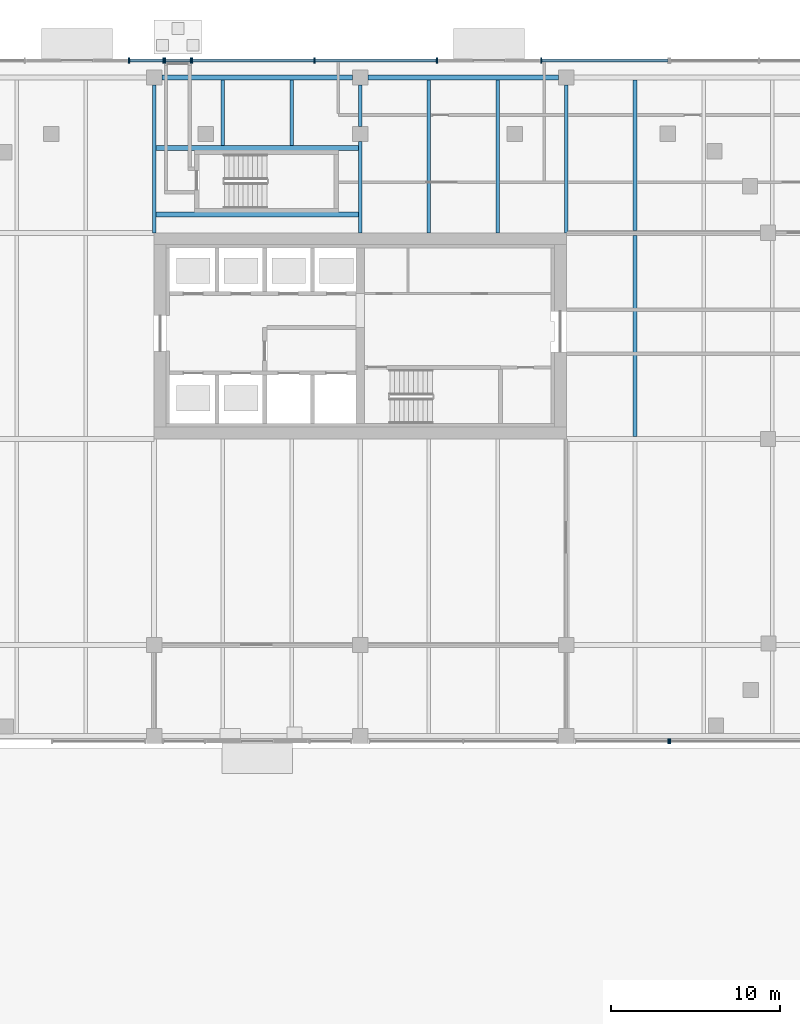
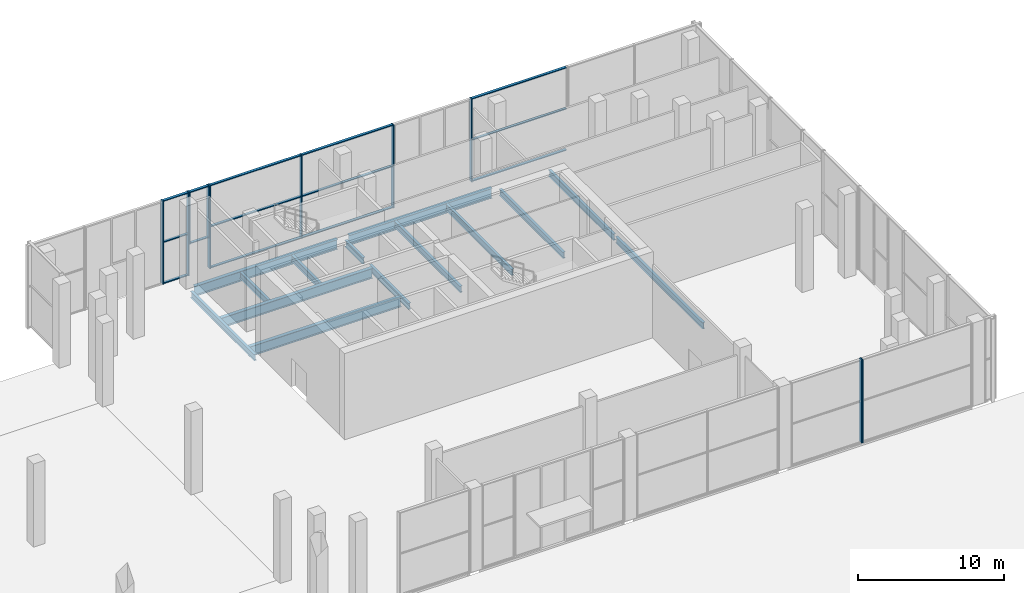
# One storey, part 8 of 36: 24 members, 14 beams, 6 elements without a shape of their own.
"""IFC4 building model written with IfcOpenShell, lengths in metres."""

from ifc_helpers import new_model, si_unit, direction, frame, origin, origin_2d, place, context, subcontext, project, spatial, rectangle, i_section, extrude, material, material_profile, profile_set, type_object, element, aggregate, save


model = new_model("IFC4")

# Units and contexts
model_context = context("Model", 3, precision=1e-05, world=origin(), true_north=direction((0.0, 1.0)))
body_context = subcontext(model_context, "Body", "Model", "MODEL_VIEW")
ifc_project = project(units=[si_unit("LENGTHUNIT", "METRE"), si_unit("AREAUNIT", "SQUARE_METRE"), si_unit("VOLUMEUNIT", "CUBIC_METRE"), si_unit("PLANEANGLEUNIT", "RADIAN"), si_unit("MASSUNIT", "GRAM", prefix="KILO")], contexts=[model_context])

# Site, building, storey
site_placement = place(None, origin())
site = spatial("IfcSite", under=ifc_project, at=site_placement, CompositionType="ELEMENT")
building_placement = place(site_placement, origin())
building = spatial("IfcBuilding", under=site, at=building_placement, Name="Tessera Gate Towers", CompositionType="ELEMENT")
storey_placement = place(building_placement, origin())
storey = spatial("IfcBuildingStorey", under=building, at=storey_placement, Name="L00", CompositionType="ELEMENT", Elevation=0.0)

# Beams
ifc_material_1 = material(Name="Steel 350W", Category="steel")
ifc_material_profile_1 = material_profile(ifc_material_1, i_section(OverallWidth=0.2919921875, OverallDepth=0.8349609375, WebThickness=0.013916015625, FlangeThickness=0.018798828125, at=origin_2d()), Name="W840x176")
ifc_profile_set_1 = profile_set([ifc_material_profile_1], Name="Steel 350W")
beam_type_1 = type_object("IfcBeamType", Name="FLOOR GIRDER W840x176", PredefinedType="BEAM", material=ifc_profile_set_1)
for number, where, z_axis, x_axis, name in (
    (1, (98.050048828125, 58.0, -0.66748046875), (1.0, 0.0, 0.0), (0.0, 1.0, 0.0), "PD-GD-L00-46"),
    (2, (110.25, 58.0, -0.66748046875), (1.0, 0.0, 0.0), (0.0, 1.0, 0.0), "PD-GD-L00-47"),
):
    element("IfcBeam", number, at=place(storey_placement, frame(where, z_axis=z_axis, x_axis=x_axis)), inside=storey, type_object=beam_type_1, Name=name, PredefinedType="BEAM", context=body_context, shape_type="SweptSolid", body=[
        extrude(i_section(OverallWidth=0.2919921875, OverallDepth=0.8349609375, WebThickness=0.013916015625, FlangeThickness=0.018798828125, at=origin_2d()), origin(), (0.0, 0.0, 1.0), 11.300048828125),
    ])
for number, where, z_axis, x_axis, name in (
    (3, (97.70458984375, 49.8798828125, -0.66748046875), (1.0, 0.0, 0.0), (0.0, 1.0, 0.0), "PD-GD-L00-81"),
    (4, (97.70458984375, 53.820068359375, -0.66748046875), (1.0, 0.0, 0.0), (0.0, 1.0, 0.0), "PD-GD-L00-82"),
):
    element("IfcBeam", number, at=place(storey_placement, frame(where, z_axis=z_axis, x_axis=x_axis)), inside=storey, type_object=beam_type_1, Name=name, PredefinedType="BEAM", context=body_context, shape_type="SweptSolid", body=[
        extrude(i_section(OverallWidth=0.2919921875, OverallDepth=0.8349609375, WebThickness=0.013916015625, FlangeThickness=0.018798828125, at=origin_2d()), origin(), (0.0, 0.0, 1.0), 11.990966796875),
    ])
ifc_material_2 = material(Name="Steel 350W", Category="steel")
ifc_material_profile_2 = material_profile(ifc_material_2, i_section(OverallWidth=0.208984375, OverallDepth=0.528076171875, WebThickness=0.009521484375, FlangeThickness=0.01318359375, at=origin_2d()), Name="W530x82")
ifc_profile_set_2 = profile_set([ifc_material_profile_2], Name="Steel 350W")
beam_type_2 = type_object("IfcBeamType", Name="FLOOR SECONDARY W530x82", PredefinedType="BEAM", material=ifc_profile_set_2)
beam_1_placement = place(storey_placement, frame((97.60009765625, 48.800048828125, -0.513916015625), z_axis=(0.0, 1.0, 0.0), x_axis=(-1.0, 0.0, 0.0)))
element("IfcBeam", 5, at=beam_1_placement, inside=storey, type_object=beam_type_2, Name="PD-BM-L00-160", PredefinedType="BEAM", context=body_context, shape_type="SweptSolid", body=[
    extrude(i_section(OverallWidth=0.208984375, OverallDepth=0.528076171875, WebThickness=0.009521484375, FlangeThickness=0.01318359375, at=origin_2d()), origin(), (0.0, 0.0, 1.0), 8.75),
])
for number, where, z_axis, x_axis, name in (
    (6, (101.666748046875, 53.966064453125, -0.513916015625), (0.0, 1.0, 0.0), (-1.0, 0.0, 0.0), "PD-BM-L00-163"),
    (7, (105.7333984375, 53.966064453125, -0.513916015625), (0.0, 1.0, 0.0), (-1.0, 0.0, 0.0), "PD-BM-L00-166"),
):
    element("IfcBeam", number, at=place(storey_placement, frame(where, z_axis=z_axis, x_axis=x_axis)), inside=storey, type_object=beam_type_2, Name=name, PredefinedType="BEAM", context=body_context, shape_type="SweptSolid", body=[
        extrude(i_section(OverallWidth=0.208984375, OverallDepth=0.528076171875, WebThickness=0.009521484375, FlangeThickness=0.01318359375, at=origin_2d()), origin(), (0.0, 0.0, 1.0), 3.887939453125),
    ])
beam_2_placement = place(storey_placement, frame((109.800048828125, 48.800048828125, -0.513916015625), z_axis=(0.0, 1.0, 0.0), x_axis=(-1.0, 0.0, 0.0)))
element("IfcBeam", 8, at=beam_2_placement, inside=storey, type_object=beam_type_2, Name="PD-BM-L00-167", PredefinedType="BEAM", context=body_context, shape_type="SweptSolid", body=[
    extrude(i_section(OverallWidth=0.208984375, OverallDepth=0.528076171875, WebThickness=0.009521484375, FlangeThickness=0.01318359375, at=origin_2d()), origin(), (0.0, 0.0, 1.0), 5.39990234375),
])
beam_3_placement = place(storey_placement, frame((109.800048828125, 55.10009765625, -0.513916015625), z_axis=(0.0, 1.0, 0.0), x_axis=(-1.0, 0.0, 0.0)))
element("IfcBeam", 9, at=beam_3_placement, inside=storey, type_object=beam_type_2, Name="PD-BM-L00-168", PredefinedType="BEAM", context=body_context, shape_type="SweptSolid", body=[
    extrude(i_section(OverallWidth=0.208984375, OverallDepth=0.528076171875, WebThickness=0.009521484375, FlangeThickness=0.01318359375, at=origin_2d()), origin(), (0.0, 0.0, 1.0), 2.449951171875),
])
for number, where, z_axis, x_axis, name in (
    (10, (113.86669921875, 48.800048828125, -0.513916015625), (0.0, 1.0, 0.0), (-1.0, 0.0, 0.0), "PD-BM-L00-171"),
    (11, (117.933349609375, 48.800048828125, -0.513916015625), (0.0, 1.0, 0.0), (-1.0, 0.0, 0.0), "PD-BM-L00-174"),
):
    element("IfcBeam", number, at=place(storey_placement, frame(where, z_axis=z_axis, x_axis=x_axis)), inside=storey, type_object=beam_type_2, Name=name, PredefinedType="BEAM", context=body_context, shape_type="SweptSolid", body=[
        extrude(i_section(OverallWidth=0.208984375, OverallDepth=0.528076171875, WebThickness=0.009521484375, FlangeThickness=0.01318359375, at=origin_2d()), origin(), (0.0, 0.0, 1.0), 9.053955078125),
    ])
beam_4_placement = place(storey_placement, frame((122.0, 48.800048828125, -0.513916015625), z_axis=(0.0, 1.0, 0.0), x_axis=(-1.0, 0.0, 0.0)))
element("IfcBeam", 12, at=beam_4_placement, inside=storey, type_object=beam_type_2, Name="PD-BM-L00-175", PredefinedType="BEAM", context=body_context, shape_type="SweptSolid", body=[
    extrude(i_section(OverallWidth=0.208984375, OverallDepth=0.528076171875, WebThickness=0.009521484375, FlangeThickness=0.01318359375, at=origin_2d()), origin(), (0.0, 0.0, 1.0), 8.75),
])
beam_5_placement = place(storey_placement, frame((126.066650390625, 36.74609375, -0.513916015625), z_axis=(0.0, 1.0, 0.0), x_axis=(-1.0, 0.0, 0.0)))
element("IfcBeam", 13, at=beam_5_placement, inside=storey, type_object=beam_type_2, Name="PD-BM-L00-178", PredefinedType="BEAM", context=body_context, shape_type="SweptSolid", body=[
    extrude(i_section(OverallWidth=0.208984375, OverallDepth=0.528076171875, WebThickness=0.009521484375, FlangeThickness=0.01318359375, at=origin_2d()), origin(), (0.0, 0.0, 1.0), 11.907958984375),
])
beam_6_placement = place(storey_placement, frame((126.066650390625, 48.946044921875, -0.513916015625), z_axis=(0.0, 1.0, 0.0), x_axis=(-1.0, 0.0, 0.0)))
element("IfcBeam", 14, at=beam_6_placement, inside=storey, type_object=beam_type_2, Name="PD-BM-L00-179", PredefinedType="BEAM", context=body_context, shape_type="SweptSolid", body=[
    extrude(i_section(OverallWidth=0.208984375, OverallDepth=0.528076171875, WebThickness=0.009521484375, FlangeThickness=0.01318359375, at=origin_2d()), origin(), (0.0, 0.0, 1.0), 8.907958984375),
])

# Curtain wall, member
ifc_material_3 = material(Name="Aluminium frame", Category="aluminium")
curtain_wall_type = type_object("IfcCurtainWallType", Name="CW-S6 ground floor glazing", PredefinedType="NOTDEFINED", material=ifc_material_3)
curtain_wall_1_placement = place(storey_placement, origin())
curtain_wall_1 = element("IfcCurtainWall", 15, at=curtain_wall_1_placement, inside=storey, type_object=curtain_wall_type, Name="Curtain wall ground floor glazing 0160", PredefinedType="NOTDEFINED")
ifc_material_4 = material(Name="Aluminium frame", Category="aluminium")
ifc_material_profile_3 = material_profile(ifc_material_4, rectangle(XDim=0.080078125, YDim=0.300048828125, at=origin_2d()), Name="AL 80x300")
ifc_profile_set_3 = profile_set([ifc_material_profile_3], Name="Aluminium frame")
member_type_1 = type_object("IfcMemberType", Name="MU-S6 mullion 80x300", PredefinedType="MULLION", material=ifc_profile_set_3)
member_1_placement = place(storey_placement, frame((128.06005859375, 18.699951171875, 0.0), z_axis=(0.0, 0.0, 1.0), x_axis=(1.0, 0.0, 0.0)))
member_1 = element("IfcMember", 16, at=member_1_placement, type_object=member_type_1, Name="PD-CW6-0160 mullion 2", PredefinedType="MULLION", context=body_context, shape_type="SweptSolid", body=[
    extrude(rectangle(XDim=0.080078125, YDim=0.300048828125, at=origin_2d()), origin(), (0.0, 0.0, 1.0), 6.949951171875),
])
aggregate(curtain_wall_1, [member_1])

curtain_wall_2_placement = place(storey_placement, origin())
curtain_wall_2 = element("IfcCurtainWall", 17, at=curtain_wall_2_placement, inside=storey, type_object=curtain_wall_type, Name="Curtain wall ground floor glazing 0169", PredefinedType="NOTDEFINED")
member_2_placement = place(storey_placement, frame((128.139892578125, 18.699951171875, 0.0), z_axis=(0.0, 0.0, 1.0), x_axis=(1.0, 0.0, 0.0)))
member_2 = element("IfcMember", 18, at=member_2_placement, type_object=member_type_1, Name="PD-CW6-0169 mullion 1", PredefinedType="MULLION", context=body_context, shape_type="SweptSolid", body=[
    extrude(rectangle(XDim=0.080078125, YDim=0.300048828125, at=origin_2d()), origin(), (0.0, 0.0, 1.0), 6.949951171875),
])
aggregate(curtain_wall_2, [member_2])

curtain_wall_3_placement = place(storey_placement, origin())
curtain_wall_3 = element("IfcCurtainWall", 19, at=curtain_wall_3_placement, inside=storey, type_object=curtain_wall_type, Name="Curtain wall ground floor glazing 0187", PredefinedType="NOTDEFINED")
member_3_placement = place(storey_placement, frame((120.514892578125, 59.0, 0.0), z_axis=(0.0, 0.0, 1.0), x_axis=(-1.0, 0.0, 0.0)))
member_3 = element("IfcMember", 20, at=member_3_placement, type_object=member_type_1, Name="PD-CW6-0187 mullion 2", PredefinedType="MULLION", context=body_context, shape_type="SweptSolid", body=[
    extrude(rectangle(XDim=0.080078125, YDim=0.300048828125, at=origin_2d()), origin(), (0.0, 0.0, 1.0), 6.949951171875),
])

# Curtain wall, members
curtain_wall_4_placement = place(storey_placement, origin())
curtain_wall_4 = element("IfcCurtainWall", 21, at=curtain_wall_4_placement, inside=storey, type_object=curtain_wall_type, Name="Curtain wall ground floor glazing 0188", PredefinedType="NOTDEFINED")
member_4_placement = place(storey_placement, frame((114.3349609375, 59.0, 0.0), z_axis=(0.0, 0.0, 1.0), x_axis=(-1.0, 0.0, 0.0)))
member_4 = element("IfcMember", 22, at=member_4_placement, type_object=member_type_1, Name="PD-CW6-0188 mullion 1", PredefinedType="MULLION", context=body_context, shape_type="SweptSolid", body=[
    extrude(rectangle(XDim=0.080078125, YDim=0.300048828125, at=origin_2d()), origin(), (0.0, 0.0, 1.0), 6.949951171875),
])
member_5_placement = place(storey_placement, frame((107.08740234375, 59.0, 0.0), z_axis=(0.0, 0.0, 1.0), x_axis=(-1.0, 0.0, 0.0)))
member_5 = element("IfcMember", 23, at=member_5_placement, type_object=member_type_1, Name="PD-CW6-0188 mullion 2", PredefinedType="MULLION", context=body_context, shape_type="SweptSolid", body=[
    extrude(rectangle(XDim=0.080078125, YDim=0.300048828125, at=origin_2d()), origin(), (0.0, 0.0, 1.0), 6.949951171875),
])
member_6_placement = place(storey_placement, frame((99.840087890625, 59.0, 0.0), z_axis=(0.0, 0.0, 1.0), x_axis=(-1.0, 0.0, 0.0)))
member_6 = element("IfcMember", 24, at=member_6_placement, type_object=member_type_1, Name="PD-CW6-0188 mullion 3", PredefinedType="MULLION", context=body_context, shape_type="SweptSolid", body=[
    extrude(rectangle(XDim=0.080078125, YDim=0.300048828125, at=origin_2d()), origin(), (0.0, 0.0, 1.0), 6.949951171875),
])

curtain_wall_5_placement = place(storey_placement, origin())
curtain_wall_5 = element("IfcCurtainWall", 25, at=curtain_wall_5_placement, inside=storey, type_object=curtain_wall_type, Name="Curtain wall ground floor glazing 0189", PredefinedType="NOTDEFINED")
member_7_placement = place(storey_placement, frame((99.760009765625, 59.0, 2.60009765625), z_axis=(0.0, 0.0, 1.0), x_axis=(-1.0, 0.0, 0.0)))
member_7 = element("IfcMember", 26, at=member_7_placement, type_object=member_type_1, Name="PD-CW6-0189 mullion 1", PredefinedType="MULLION", context=body_context, shape_type="SweptSolid", body=[
    extrude(rectangle(XDim=0.080078125, YDim=0.300048828125, at=origin_2d()), origin(), (0.0, 0.0, 1.0), 4.349853515625),
])
member_8_placement = place(storey_placement, frame((98.239990234375, 59.0, 2.60009765625), z_axis=(0.0, 0.0, 1.0), x_axis=(-1.0, 0.0, 0.0)))
member_8 = element("IfcMember", 27, at=member_8_placement, type_object=member_type_1, Name="PD-CW6-0189 mullion 2", PredefinedType="MULLION", context=body_context, shape_type="SweptSolid", body=[
    extrude(rectangle(XDim=0.080078125, YDim=0.300048828125, at=origin_2d()), origin(), (0.0, 0.0, 1.0), 4.349853515625),
])

curtain_wall_6_placement = place(storey_placement, origin())
curtain_wall_6 = element("IfcCurtainWall", 28, at=curtain_wall_6_placement, inside=storey, type_object=curtain_wall_type, Name="Curtain wall ground floor glazing 0190", PredefinedType="NOTDEFINED")
member_9_placement = place(storey_placement, frame((98.159912109375, 59.0, 0.0), z_axis=(0.0, 0.0, 1.0), x_axis=(-1.0, 0.0, 0.0)))
member_9 = element("IfcMember", 29, at=member_9_placement, type_object=member_type_1, Name="PD-CW6-0190 mullion 1", PredefinedType="MULLION", context=body_context, shape_type="SweptSolid", body=[
    extrude(rectangle(XDim=0.080078125, YDim=0.300048828125, at=origin_2d()), origin(), (0.0, 0.0, 1.0), 6.949951171875),
])
member_10_placement = place(storey_placement, frame((96.114990234375, 59.0, 0.0), z_axis=(0.0, 0.0, 1.0), x_axis=(-1.0, 0.0, 0.0)))
member_10 = element("IfcMember", 30, at=member_10_placement, type_object=member_type_1, Name="PD-CW6-0190 mullion 2", PredefinedType="MULLION", context=body_context, shape_type="SweptSolid", body=[
    extrude(rectangle(XDim=0.080078125, YDim=0.300048828125, at=origin_2d()), origin(), (0.0, 0.0, 1.0), 6.949951171875),
])

# Member
ifc_material_5 = material(Name="Aluminium frame", Category="aluminium")
ifc_material_profile_4 = material_profile(ifc_material_5, rectangle(XDim=0.199951171875, YDim=0.080078125, at=origin_2d()), Name="AL 80x200")
ifc_profile_set_4 = profile_set([ifc_material_profile_4], Name="Aluminium frame")
member_type_2 = type_object("IfcMemberType", Name="TR-S6 transom 80x200", PredefinedType="USERDEFINED", material=ifc_profile_set_4)
member_11_placement = place(storey_placement, frame((128.02001953125, 59.0, 0.0400390625), z_axis=(-1.0, 0.0, 0.0), x_axis=(0.0, -1.0, 0.0)))
member_11 = element("IfcMember", 31, at=member_11_placement, type_object=member_type_2, Name="PD-CW6-0187 transom 1.1", ObjectType="TRANSOM", PredefinedType="USERDEFINED", context=body_context, shape_type="SweptSolid", body=[
    extrude(rectangle(XDim=0.199951171875, YDim=0.080078125, at=origin_2d()), origin(), (0.0, 0.0, 1.0), 7.465087890625),
])

member_12_placement = place(storey_placement, frame((128.02001953125, 59.0, 3.47509765625), z_axis=(-1.0, 0.0, 0.0), x_axis=(0.0, -1.0, 0.0)))
member_12 = element("IfcMember", 32, at=member_12_placement, type_object=member_type_2, Name="PD-CW6-0187 transom 1.2", ObjectType="TRANSOM", PredefinedType="USERDEFINED", context=body_context, shape_type="SweptSolid", body=[
    extrude(rectangle(XDim=0.199951171875, YDim=0.080078125, at=origin_2d()), origin(), (0.0, 0.0, 1.0), 7.465087890625),
])

member_13_placement = place(storey_placement, frame((128.02001953125, 59.0, 6.909912109375), z_axis=(-1.0, 0.0, 0.0), x_axis=(0.0, -1.0, 0.0)))
member_13 = element("IfcMember", 33, at=member_13_placement, type_object=member_type_2, Name="PD-CW6-0187 transom 1.3", ObjectType="TRANSOM", PredefinedType="USERDEFINED", context=body_context, shape_type="SweptSolid", body=[
    extrude(rectangle(XDim=0.199951171875, YDim=0.080078125, at=origin_2d()), origin(), (0.0, 0.0, 1.0), 7.465087890625),
])

aggregate(curtain_wall_3, [member_3, member_11, member_12, member_13])

member_14_placement = place(storey_placement, frame((114.294921875, 59.0, 0.0400390625), z_axis=(-1.0, 0.0, 0.0), x_axis=(0.0, -1.0, 0.0)))
member_14 = element("IfcMember", 34, at=member_14_placement, type_object=member_type_2, Name="PD-CW6-0188 transom 1.1", ObjectType="TRANSOM", PredefinedType="USERDEFINED", context=body_context, shape_type="SweptSolid", body=[
    extrude(rectangle(XDim=0.199951171875, YDim=0.080078125, at=origin_2d()), origin(), (0.0, 0.0, 1.0), 7.16748046875),
])

member_15_placement = place(storey_placement, frame((114.294921875, 59.0, 3.47509765625), z_axis=(-1.0, 0.0, 0.0), x_axis=(0.0, -1.0, 0.0)))
member_15 = element("IfcMember", 35, at=member_15_placement, type_object=member_type_2, Name="PD-CW6-0188 transom 1.2", ObjectType="TRANSOM", PredefinedType="USERDEFINED", context=body_context, shape_type="SweptSolid", body=[
    extrude(rectangle(XDim=0.199951171875, YDim=0.080078125, at=origin_2d()), origin(), (0.0, 0.0, 1.0), 7.16748046875),
])

member_16_placement = place(storey_placement, frame((114.294921875, 59.0, 6.909912109375), z_axis=(-1.0, 0.0, 0.0), x_axis=(0.0, -1.0, 0.0)))
member_16 = element("IfcMember", 36, at=member_16_placement, type_object=member_type_2, Name="PD-CW6-0188 transom 1.3", ObjectType="TRANSOM", PredefinedType="USERDEFINED", context=body_context, shape_type="SweptSolid", body=[
    extrude(rectangle(XDim=0.199951171875, YDim=0.080078125, at=origin_2d()), origin(), (0.0, 0.0, 1.0), 7.16748046875),
])

member_17_placement = place(storey_placement, frame((107.047607421875, 59.0, 0.0400390625), z_axis=(-1.0, 0.0, 0.0), x_axis=(0.0, -1.0, 0.0)))
member_17 = element("IfcMember", 37, at=member_17_placement, type_object=member_type_2, Name="PD-CW6-0188 transom 2.1", ObjectType="TRANSOM", PredefinedType="USERDEFINED", context=body_context, shape_type="SweptSolid", body=[
    extrude(rectangle(XDim=0.199951171875, YDim=0.080078125, at=origin_2d()), origin(), (0.0, 0.0, 1.0), 7.167724609375),
])

member_18_placement = place(storey_placement, frame((107.047607421875, 59.0, 3.47509765625), z_axis=(-1.0, 0.0, 0.0), x_axis=(0.0, -1.0, 0.0)))
member_18 = element("IfcMember", 38, at=member_18_placement, type_object=member_type_2, Name="PD-CW6-0188 transom 2.2", ObjectType="TRANSOM", PredefinedType="USERDEFINED", context=body_context, shape_type="SweptSolid", body=[
    extrude(rectangle(XDim=0.199951171875, YDim=0.080078125, at=origin_2d()), origin(), (0.0, 0.0, 1.0), 7.167724609375),
])

member_19_placement = place(storey_placement, frame((107.047607421875, 59.0, 6.909912109375), z_axis=(-1.0, 0.0, 0.0), x_axis=(0.0, -1.0, 0.0)))
member_19 = element("IfcMember", 39, at=member_19_placement, type_object=member_type_2, Name="PD-CW6-0188 transom 2.3", ObjectType="TRANSOM", PredefinedType="USERDEFINED", context=body_context, shape_type="SweptSolid", body=[
    extrude(rectangle(XDim=0.199951171875, YDim=0.080078125, at=origin_2d()), origin(), (0.0, 0.0, 1.0), 7.167724609375),
])

aggregate(curtain_wall_4, [member_4, member_5, member_6, member_14, member_15, member_16, member_17, member_18, member_19])

member_20_placement = place(storey_placement, frame((99.719970703125, 59.0, 2.639892578125), z_axis=(-1.0, 0.0, 0.0), x_axis=(0.0, -1.0, 0.0)))
member_20 = element("IfcMember", 40, at=member_20_placement, type_object=member_type_2, Name="PD-CW6-0189 transom 1.1", ObjectType="TRANSOM", PredefinedType="USERDEFINED", context=body_context, shape_type="SweptSolid", body=[
    extrude(rectangle(XDim=0.199951171875, YDim=0.080078125, at=origin_2d()), origin(), (0.0, 0.0, 1.0), 1.43994140625),
])

member_21_placement = place(storey_placement, frame((99.719970703125, 59.0, 6.909912109375), z_axis=(-1.0, 0.0, 0.0), x_axis=(0.0, -1.0, 0.0)))
member_21 = element("IfcMember", 41, at=member_21_placement, type_object=member_type_2, Name="PD-CW6-0189 transom 1.2", ObjectType="TRANSOM", PredefinedType="USERDEFINED", context=body_context, shape_type="SweptSolid", body=[
    extrude(rectangle(XDim=0.199951171875, YDim=0.080078125, at=origin_2d()), origin(), (0.0, 0.0, 1.0), 1.43994140625),
])

aggregate(curtain_wall_5, [member_7, member_8, member_20, member_21])

member_22_placement = place(storey_placement, frame((98.1201171875, 59.0, 0.0400390625), z_axis=(-1.0, 0.0, 0.0), x_axis=(0.0, -1.0, 0.0)))
member_22 = element("IfcMember", 42, at=member_22_placement, type_object=member_type_2, Name="PD-CW6-0190 transom 1.1", ObjectType="TRANSOM", PredefinedType="USERDEFINED", context=body_context, shape_type="SweptSolid", body=[
    extrude(rectangle(XDim=0.199951171875, YDim=0.080078125, at=origin_2d()), origin(), (0.0, 0.0, 1.0), 1.965087890625),
])

member_23_placement = place(storey_placement, frame((98.1201171875, 59.0, 3.47509765625), z_axis=(-1.0, 0.0, 0.0), x_axis=(0.0, -1.0, 0.0)))
member_23 = element("IfcMember", 43, at=member_23_placement, type_object=member_type_2, Name="PD-CW6-0190 transom 1.2", ObjectType="TRANSOM", PredefinedType="USERDEFINED", context=body_context, shape_type="SweptSolid", body=[
    extrude(rectangle(XDim=0.199951171875, YDim=0.080078125, at=origin_2d()), origin(), (0.0, 0.0, 1.0), 1.965087890625),
])

member_24_placement = place(storey_placement, frame((98.1201171875, 59.0, 6.909912109375), z_axis=(-1.0, 0.0, 0.0), x_axis=(0.0, -1.0, 0.0)))
member_24 = element("IfcMember", 44, at=member_24_placement, type_object=member_type_2, Name="PD-CW6-0190 transom 1.3", ObjectType="TRANSOM", PredefinedType="USERDEFINED", context=body_context, shape_type="SweptSolid", body=[
    extrude(rectangle(XDim=0.199951171875, YDim=0.080078125, at=origin_2d()), origin(), (0.0, 0.0, 1.0), 1.965087890625),
])

aggregate(curtain_wall_6, [member_9, member_10, member_22, member_23, member_24])

save(model, "model.ifc")
